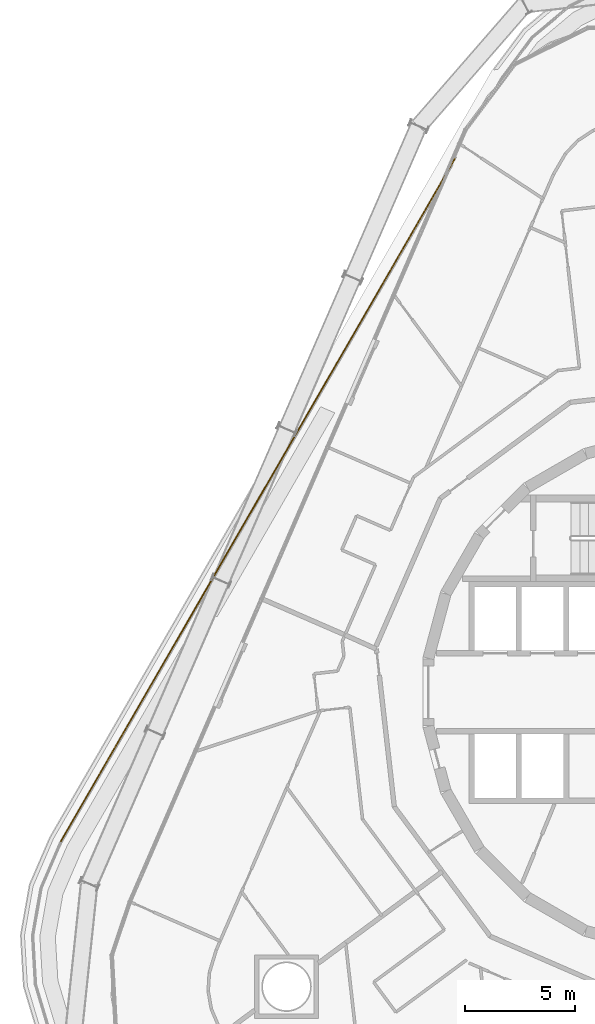
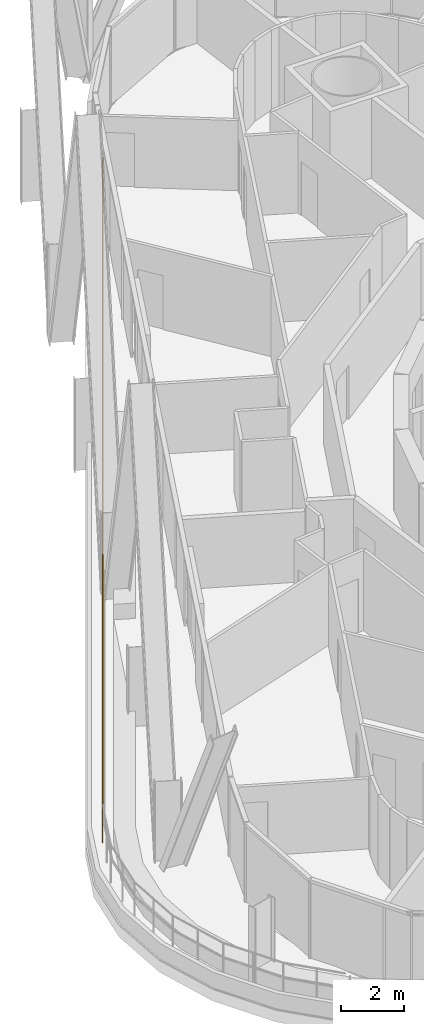
# One storey, part 26 of 32: 1 railing.
"""IFC4 building model written with IfcOpenShell, lengths in metres."""

from ifc_helpers import new_model, si_unit, direction, frame, origin, origin_2d, place, context, subcontext, project, spatial, circle, extrude, material, type_object, element, save


model = new_model("IFC4")

# Units and contexts
model_context = context("Model", 3, precision=1e-05, world=origin(), true_north=direction((0.0, 1.0)))
body_context = subcontext(model_context, "Body", "Model", "MODEL_VIEW")
ifc_project = project(units=[si_unit("LENGTHUNIT", "METRE"), si_unit("AREAUNIT", "SQUARE_METRE"), si_unit("VOLUMEUNIT", "CUBIC_METRE"), si_unit("PLANEANGLEUNIT", "RADIAN"), si_unit("MASSUNIT", "GRAM", prefix="KILO")], contexts=[model_context])

# Site, building, storey
site_placement = place(None, origin())
site = spatial("IfcSite", under=ifc_project, at=site_placement, CompositionType="ELEMENT")
building_placement = place(site_placement, origin())
building = spatial("IfcBuilding", under=site, at=building_placement, Name="Spindle Arch Residences", CompositionType="ELEMENT")
storey_placement = place(building_placement, frame((0.0, 0.0, 76.699951171875)))
storey = spatial("IfcBuildingStorey", under=building, at=storey_placement, Name="L17", CompositionType="ELEMENT", Elevation=76.699951171875)

# Railing
ifc_material = material(Name="Bronze anodised aluminium guard with glass infill", Category="aluminium")
railing_type = type_object("IfcRailingType", Name="Terrace guard 1500", PredefinedType="GUARDRAIL", material=ifc_material)
railing_placement = place(storey_placement, frame((-28.398193359375, -6.8271484375, 0.030029296875)))
element("IfcRailing", 1, at=railing_placement, inside=storey, type_object=railing_type, Name="Terrace guard L16 4", PredefinedType="GUARDRAIL", context=body_context, shape_type="SweptSolid", body=[
    extrude(circle(Radius=0.02392578125, at=origin_2d()), frame((0.0, 0.0, 1.47607421875), z_axis=(0.500000481159, 0.866025125987, 0.0), x_axis=(-0.866025125987, 0.500000481159, 0.0)), (0.0, 0.0, 1.0), 35.97900390625),
    extrude(circle(Radius=0.02099609375, at=origin_2d()), origin(), (0.0, 0.0, 1.0), 1.451904296875),
    extrude(circle(Radius=0.02099609375, at=origin_2d()), frame((0.599609375, 1.03857421875, 0.0)), (0.0, 0.0, 1.0), 1.451904296875),
    extrude(circle(Radius=0.02099609375, at=origin_2d()), frame((1.19921875, 2.0771484375, 0.0)), (0.0, 0.0, 1.0), 1.451904296875),
    extrude(circle(Radius=0.02099609375, at=origin_2d()), frame((1.798828125, 3.115966796875, 0.0)), (0.0, 0.0, 1.0), 1.451904296875),
    extrude(circle(Radius=0.02099609375, at=origin_2d()), frame((2.398681640625, 4.154541015625, 0.0)), (0.0, 0.0, 1.0), 1.451904296875),
    extrude(circle(Radius=0.02099609375, at=origin_2d()), frame((2.998291015625, 5.193115234375, 0.0)), (0.0, 0.0, 1.0), 1.451904296875),
    extrude(circle(Radius=0.02099609375, at=origin_2d()), frame((3.597900390625, 6.231689453125, 0.0)), (0.0, 0.0, 1.0), 1.451904296875),
    extrude(circle(Radius=0.02099609375, at=origin_2d()), frame((4.197509765625, 7.270263671875, 0.0)), (0.0, 0.0, 1.0), 1.451904296875),
    extrude(circle(Radius=0.02099609375, at=origin_2d()), frame((4.797119140625, 8.30908203125, 0.0)), (0.0, 0.0, 1.0), 1.451904296875),
    extrude(circle(Radius=0.02099609375, at=origin_2d()), frame((5.39697265625, 9.34765625, 0.0)), (0.0, 0.0, 1.0), 1.451904296875),
    extrude(circle(Radius=0.02099609375, at=origin_2d()), frame((5.99658203125, 10.38623046875, 0.0)), (0.0, 0.0, 1.0), 1.451904296875),
    extrude(circle(Radius=0.02099609375, at=origin_2d()), frame((6.59619140625, 11.4248046875, 0.0)), (0.0, 0.0, 1.0), 1.451904296875),
    extrude(circle(Radius=0.02099609375, at=origin_2d()), frame((7.19580078125, 12.46337890625, 0.0)), (0.0, 0.0, 1.0), 1.451904296875),
    extrude(circle(Radius=0.02099609375, at=origin_2d()), frame((7.79541015625, 13.502197265625, 0.0)), (0.0, 0.0, 1.0), 1.451904296875),
    extrude(circle(Radius=0.02099609375, at=origin_2d()), frame((8.39501953125, 14.540771484375, 0.0)), (0.0, 0.0, 1.0), 1.451904296875),
    extrude(circle(Radius=0.02099609375, at=origin_2d()), frame((8.99462890625, 15.579345703125, 0.0)), (0.0, 0.0, 1.0), 1.451904296875),
    extrude(circle(Radius=0.02099609375, at=origin_2d()), frame((9.594482421875, 16.617919921875, 0.0)), (0.0, 0.0, 1.0), 1.451904296875),
    extrude(circle(Radius=0.02099609375, at=origin_2d()), frame((10.194091796875, 17.656494140625, 0.0)), (0.0, 0.0, 1.0), 1.451904296875),
    extrude(circle(Radius=0.02099609375, at=origin_2d()), frame((10.793701171875, 18.6953125, 0.0)), (0.0, 0.0, 1.0), 1.451904296875),
    extrude(circle(Radius=0.02099609375, at=origin_2d()), frame((11.393310546875, 19.73388671875, 0.0)), (0.0, 0.0, 1.0), 1.451904296875),
    extrude(circle(Radius=0.02099609375, at=origin_2d()), frame((11.992919921875, 20.7724609375, 0.0)), (0.0, 0.0, 1.0), 1.451904296875),
    extrude(circle(Radius=0.02099609375, at=origin_2d()), frame((12.5927734375, 21.81103515625, 0.0)), (0.0, 0.0, 1.0), 1.451904296875),
    extrude(circle(Radius=0.02099609375, at=origin_2d()), frame((13.1923828125, 22.849609375, 0.0)), (0.0, 0.0, 1.0), 1.451904296875),
    extrude(circle(Radius=0.02099609375, at=origin_2d()), frame((13.7919921875, 23.888427734375, 0.0)), (0.0, 0.0, 1.0), 1.451904296875),
    extrude(circle(Radius=0.02099609375, at=origin_2d()), frame((14.3916015625, 24.927001953125, 0.0)), (0.0, 0.0, 1.0), 1.451904296875),
    extrude(circle(Radius=0.02099609375, at=origin_2d()), frame((14.9912109375, 25.965576171875, 0.0)), (0.0, 0.0, 1.0), 1.451904296875),
    extrude(circle(Radius=0.02099609375, at=origin_2d()), frame((15.5908203125, 27.004150390625, 0.0)), (0.0, 0.0, 1.0), 1.451904296875),
    extrude(circle(Radius=0.02099609375, at=origin_2d()), frame((16.1904296875, 28.042724609375, 0.0)), (0.0, 0.0, 1.0), 1.451904296875),
    extrude(circle(Radius=0.02099609375, at=origin_2d()), frame((16.790283203125, 29.08154296875, 0.0)), (0.0, 0.0, 1.0), 1.451904296875),
    extrude(circle(Radius=0.02099609375, at=origin_2d()), frame((17.389892578125, 30.1201171875, 0.0)), (0.0, 0.0, 1.0), 1.451904296875),
    extrude(circle(Radius=0.02099609375, at=origin_2d()), frame((17.989501953125, 31.15869140625, 0.0)), (0.0, 0.0, 1.0), 1.451904296875),
])

save(model, "model.ifc")
